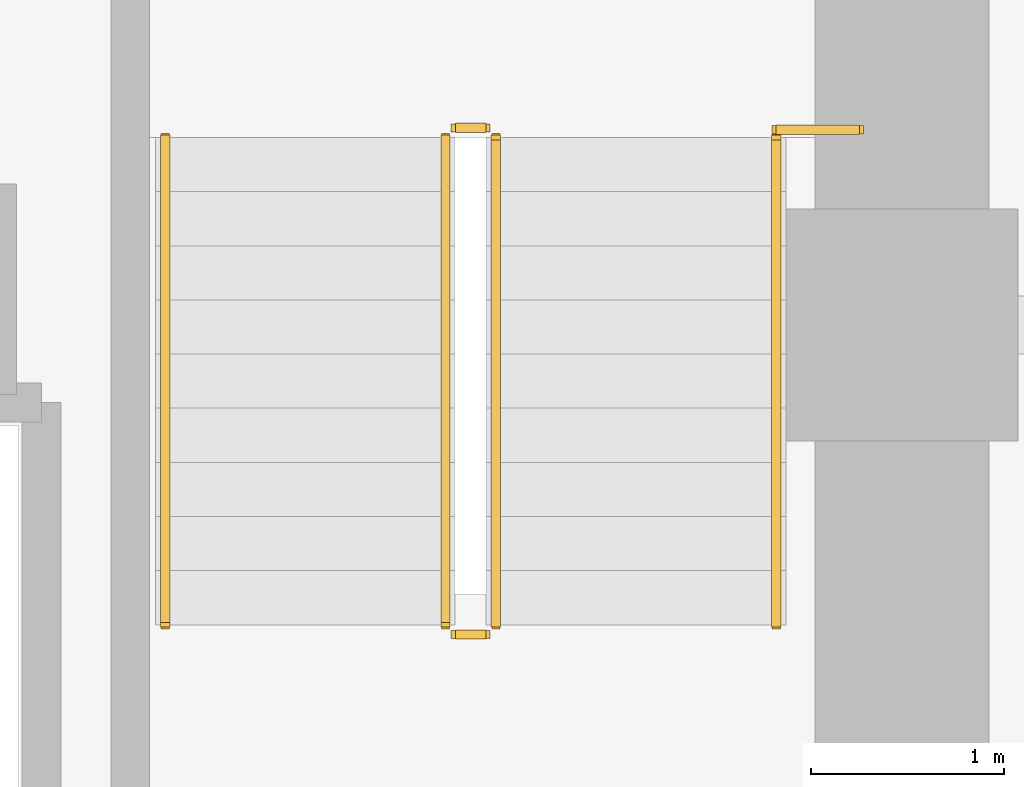
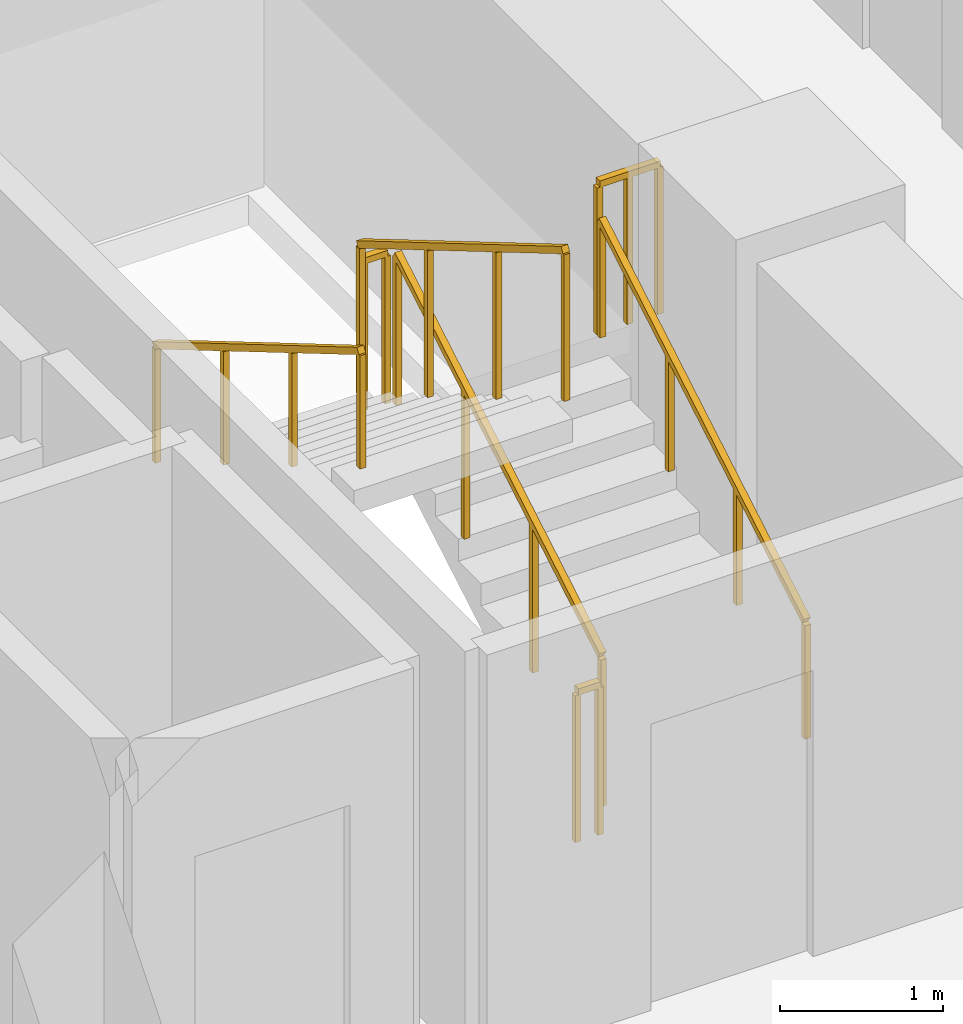
# One storey, part 30 of 31: 7 railings.
"""IFC4 building model written with IfcOpenShell, lengths in metres."""

import ifcopenshell
import ifcopenshell.guid

model = None  # the IFC model being written
_history = None  # IfcOwnerHistory: only IFC2X3 demands one
_inside = {}  # id of a spatial element -> (the spatial element, [elements in it])
_under = {}  # id of a project, library or spatial element -> (it, [spatial elements below it])
_declared = {}  # id of a project -> (the project, [libraries it declares])
_typed = {}  # id of a type object -> (the type object, [elements of that type])
_made_of = {}  # id of a material, layer set ... -> (it, [elements and type objects made of it])


def new_model(schema):
    """Start an empty IFC model of exactly this schema.

    Asked for "IFC4X3", IfcOpenShell would pick the latest addendum, in which some entities
    have other attributes; the version numbers below select the first issue.
    IFC2X3 requires an IfcOwnerHistory on every rooted entity: one is made here for all.
    """
    global model, _history
    if schema == "IFC4X3":
        model = ifcopenshell.file(schema_version=(4, 3, 0, 0))
    else:
        model = ifcopenshell.file(schema=schema)
    _inside.clear()
    _under.clear()
    _declared.clear()
    _typed.clear()
    _made_of.clear()
    _history = None
    if model.schema == "IFC2X3":
        org = make("IfcOrganization", Name="unknown")
        user = make(
            "IfcPersonAndOrganization",
            ThePerson=make("IfcPerson", FamilyName="unknown"),
            TheOrganization=org,
        )
        app = make(
            "IfcApplication",
            ApplicationDeveloper=org,
            Version="unknown",
            ApplicationFullName="unknown",
            ApplicationIdentifier="unknown",
        )
        _history = make(
            "IfcOwnerHistory",
            OwningUser=user,
            OwningApplication=app,
            ChangeAction="ADDED",
            CreationDate=0,
        )
    return model


def make(cls, **values):
    """One entity of the class cls with the attributes given. An attribute that is None is left unset."""
    return model.create_entity(
        cls, **{name: value for name, value in values.items() if value is not None}
    )


def rooted(cls, **values):
    """An entity with a GlobalId (a new one), such as an element, a storey or a relation."""
    return make(cls, GlobalId=ifcopenshell.guid.new(), OwnerHistory=_history, **values)


def si_unit(unit_type, name, prefix=None):
    """IfcSIUnit, for example si_unit("LENGTHUNIT", "METRE", prefix="MILLI")."""
    return make("IfcSIUnit", UnitType=unit_type, Prefix=prefix, Name=name)


def assignment(units):
    """IfcUnitAssignment: the units of a project."""
    return None if units is None else make("IfcUnitAssignment", Units=units)


def point(xyz):
    """IfcCartesianPoint."""
    return None if xyz is None else make("IfcCartesianPoint", Coordinates=xyz)


def direction(xyz):
    """IfcDirection."""
    return None if xyz is None else make("IfcDirection", DirectionRatios=xyz)


def frame(location, z_axis=None, x_axis=None):
    """IfcAxis2Placement3D, a coordinate frame: its origin and axes. An axis left out is left unset."""
    return make(
        "IfcAxis2Placement3D",
        Location=point(location),
        Axis=direction(z_axis),
        RefDirection=direction(x_axis),
    )


def frame_2d(location, x_axis=None):
    """IfcAxis2Placement2D, a coordinate frame in the plane: its origin and x axis."""
    return make(
        "IfcAxis2Placement2D", Location=point(location), RefDirection=direction(x_axis)
    )


def origin():
    """The frame at (0, 0, 0) with its axes left unset."""
    return frame((0.0, 0.0, 0.0))


def origin_2d():
    """The frame at (0, 0) in the plane with its x axis left unset."""
    return frame_2d((0.0, 0.0))


def place(relative_to, where):
    """IfcLocalPlacement: puts the frame where relative to a parent placement (None: the world)."""
    return make(
        "IfcLocalPlacement", PlacementRelTo=relative_to, RelativePlacement=where
    )


def context(
    kind, dimensions, precision=None, world=None, true_north=None, identifier=None
):
    """IfcGeometricRepresentationContext, for example the 3D "Model" context."""
    return make(
        "IfcGeometricRepresentationContext",
        ContextIdentifier=identifier,
        ContextType=kind,
        CoordinateSpaceDimension=dimensions,
        Precision=precision,
        WorldCoordinateSystem=world,
        TrueNorth=true_north,
    )


def subcontext(parent, identifier, kind, view, scale=None):
    """IfcGeometricRepresentationSubContext, for example "Body" below "Model"."""
    return make(
        "IfcGeometricRepresentationSubContext",
        ContextIdentifier=identifier,
        ContextType=kind,
        ParentContext=parent,
        TargetScale=scale,
        TargetView=view,
    )


def project(units=None, contexts=None):
    """IfcProject with its units and contexts."""
    return rooted(
        "IfcProject",
        Name="project",
        RepresentationContexts=contexts,
        UnitsInContext=assignment(units),
    )


def spatial(cls, under=None, at=None, **own):
    """A site, building, storey or space (cls), placed at a placement, below another one or the project."""
    s = rooted(cls, ObjectPlacement=at, **own)
    if under is not None:
        _under.setdefault(under.id(), (under, []))[1].append(s)
    return s


def profile(cls, at=None, kind="AREA", **sizes):
    """A parametric profile (cls). Its sizes go by their IFC names, for example OverallWidth=200.0."""
    return make(cls, ProfileType=kind, Position=at, **sizes)


def rectangle(**sizes):
    """IfcRectangleProfileDef."""
    return profile("IfcRectangleProfileDef", **sizes)


def extrude(swept, where, along, depth):
    """IfcExtrudedAreaSolid: the profile swept, set in the frame where, extruded along a direction by depth."""
    return make(
        "IfcExtrudedAreaSolid",
        SweptArea=swept,
        Position=where,
        ExtrudedDirection=direction(along),
        Depth=depth,
    )


def shape(context_of_items, identifier, shape_type, items):
    """IfcShapeRepresentation: the items that make up one representation, for example the "Body"."""
    return make(
        "IfcShapeRepresentation",
        ContextOfItems=context_of_items,
        RepresentationIdentifier=identifier,
        RepresentationType=shape_type,
        Items=items,
    )


def material(Name=None, Category=None):
    """IfcMaterial."""
    return make("IfcMaterial", Name=Name, Category=Category)


def made_of(thing, what):
    """Note that an element or type object is made of a material, layer set ...; save() writes the relation."""
    if what is not None:
        _made_of.setdefault(what.id(), (what, []))[1].append(thing)
    return thing


def type_object(cls, material=None, **own):
    """A type object (cls), such as IfcWallType, which elements share."""
    return made_of(rooted(cls, **own), material)


def element(
    cls,
    number,
    at=None,
    inside=None,
    cuts=None,
    type_object=None,
    material=None,
    context=None,
    identifier="Body",
    shape_type=None,
    held_by="IfcProductDefinitionShape",
    body=None,
    shapes=None,
    **own,
):
    """One element of the class cls, such as IfcWall. Its Tag is "e" and its number.

    at: its placement. inside: the storey or other place that contains it. cuts: it is an
    opening in that element (IfcRelVoidsElement). A single representation is given by context,
    identifier, shape_type and body (its items); several are given by shapes. held_by: the class
    of the entity that holds the representations. save() writes the other relations.
    """
    e = rooted(cls, Tag="e%d" % number, ObjectPlacement=at, **own)
    if body is not None:
        shapes = [shape(context, identifier, shape_type, body)]
    if shapes is not None:
        e.Representation = make(held_by, Representations=shapes)
    if inside is not None:
        _inside.setdefault(inside.id(), (inside, []))[1].append(e)
    if cuts is not None:
        rooted(
            "IfcRelVoidsElement", RelatingBuildingElement=cuts, RelatedOpeningElement=e
        )
    if type_object is not None:
        _typed.setdefault(type_object.id(), (type_object, []))[1].append(e)
    return made_of(e, material)


def aggregate(whole, parts):
    """IfcRelAggregates: a whole, such as a stair, and the parts it consists of."""
    return rooted("IfcRelAggregates", RelatingObject=whole, RelatedObjects=parts)


def save(model, path):
    """Write the relations noted so far, then the file.

    IfcRelAggregates (storeys below a building ...), IfcRelContainedInSpatialStructure (elements
    in a storey), IfcRelDefinesByType, IfcRelAssociatesMaterial and IfcRelDeclares: one each for
    every whole, place, type object, material and project.
    """
    for whole, parts in _under.values():
        aggregate(whole, parts)
    for where, things in _inside.values():
        rooted(
            "IfcRelContainedInSpatialStructure",
            RelatedElements=things,
            RelatingStructure=where,
        )
    for kind, things in _typed.values():
        rooted("IfcRelDefinesByType", RelatedObjects=things, RelatingType=kind)
    for what, things in _made_of.values():
        rooted("IfcRelAssociatesMaterial", RelatedObjects=things, RelatingMaterial=what)
    for by, libraries in _declared.values():
        rooted("IfcRelDeclares", RelatingContext=by, RelatedDefinitions=libraries)
    model.write(path)


model = new_model("IFC4")

# Units and contexts
model_context = context("Model", 3, precision=1e-05, world=origin(), true_north=direction((0.0, 1.0)))
body_context = subcontext(model_context, "Body", "Model", "MODEL_VIEW")
ifc_project = project(units=[si_unit("LENGTHUNIT", "METRE"), si_unit("AREAUNIT", "SQUARE_METRE"), si_unit("VOLUMEUNIT", "CUBIC_METRE"), si_unit("PLANEANGLEUNIT", "RADIAN"), si_unit("MASSUNIT", "GRAM", prefix="KILO")], contexts=[model_context])

# Site, building, storey
site_placement = place(None, origin())
site = spatial("IfcSite", under=ifc_project, at=site_placement, CompositionType="ELEMENT")
building_placement = place(site_placement, origin())
building = spatial("IfcBuilding", under=site, at=building_placement, Name="Zarnakvel Exchange Tower", CompositionType="ELEMENT")
storey_placement = place(building_placement, frame((0.0, 0.0, 47.199951171875)))
storey = spatial("IfcBuildingStorey", under=building, at=storey_placement, Name="L12", CompositionType="ELEMENT", Elevation=47.199951171875)

# Railings
ifc_material_1 = material(Name="Brushed Stainless Steel", Category="steel")
railing_type_1 = type_object("IfcRailingType", Name="HR-01", PredefinedType="HANDRAIL", material=ifc_material_1)
railing_1_placement = place(storey_placement, frame((13.75, 5.050048828125, 0.1650390625)))
element("IfcRailing", 1, at=railing_1_placement, inside=storey, type_object=railing_type_1, Name="L12 ST-02 stair handrail 1", PredefinedType="HANDRAIL", context=body_context, shape_type="SweptSolid", body=[
    extrude(rectangle(XDim=0.048095703125, YDim=0.048095703125, at=origin_2d()), frame((0.0, 0.0, 0.8759765625), z_axis=(0.0, 0.86152411907, 0.507716645641), x_axis=(-1.0, 0.0, 0.0)), (0.0, 0.0, 1.0), 2.925048828125),
    extrude(rectangle(XDim=0.0419921875, YDim=0.0419921875, at=origin_2d()), origin(), (0.0, 0.0, 1.0), 0.851806640625),
    extrude(rectangle(XDim=0.0419921875, YDim=0.0419921875, at=origin_2d()), frame((0.0, 0.840087890625, 0.4951171875)), (0.0, 0.0, 1.0), 0.851806640625),
    extrude(rectangle(XDim=0.0419921875, YDim=0.0419921875, at=origin_2d()), frame((0.0, 1.679931640625, 0.989990234375)), (0.0, 0.0, 1.0), 0.851806640625),
    extrude(rectangle(XDim=0.0419921875, YDim=0.0419921875, at=origin_2d()), frame((0.0, 2.52001953125, 1.485107421875)), (0.0, 0.0, 1.0), 0.851806640625),
])
railing_2_placement = place(storey_placement, frame((10.590087890625, 7.570068359375, 1.81494140625)))
element("IfcRailing", 2, at=railing_2_placement, inside=storey, type_object=railing_type_1, Name="L12 ST-02 stair handrail 2", PredefinedType="HANDRAIL", context=body_context, shape_type="SweptSolid", body=[
    extrude(rectangle(XDim=0.048095703125, YDim=0.048095703125, at=origin_2d()), frame((0.0, 0.0, 0.8759765625), z_axis=(0.0, -0.86152411907, 0.507716645641), x_axis=(1.0, 0.0, 0.0)), (0.0, 0.0, 1.0), 2.925048828125),
    extrude(rectangle(XDim=0.0419921875, YDim=0.0419921875, at=origin_2d()), origin(), (0.0, 0.0, 1.0), 0.851806640625),
    extrude(rectangle(XDim=0.0419921875, YDim=0.0419921875, at=origin_2d()), frame((0.0, -0.840087890625, 0.4951171875)), (0.0, 0.0, 1.0), 0.851806640625),
    extrude(rectangle(XDim=0.0419921875, YDim=0.0419921875, at=origin_2d()), frame((0.0, -1.679931640625, 0.989990234375)), (0.0, 0.0, 1.0), 0.851806640625),
    extrude(rectangle(XDim=0.0419921875, YDim=0.0419921875, at=origin_2d()), frame((0.0, -2.52001953125, 1.485107421875)), (0.0, 0.0, 1.0), 0.851806640625),
])
ifc_material_2 = material(Name="Architectural Bronze Anodised Aluminium", Category="aluminium")
railing_type_2 = type_object("IfcRailingType", Name="SG-01", PredefinedType="GUARDRAIL", material=ifc_material_2)
railing_3_placement = place(storey_placement, frame((12.300048828125, 5.050048828125, 0.1650390625)))
element("IfcRailing", 3, at=railing_3_placement, inside=storey, type_object=railing_type_2, Name="L12 ST-02 stair guard 1", PredefinedType="GUARDRAIL", context=body_context, shape_type="SweptSolid", body=[
    extrude(rectangle(XDim=0.048095703125, YDim=0.048095703125, at=origin_2d()), frame((0.0, 0.0, 1.1259765625), z_axis=(0.0, 0.86152411907, 0.507716645641), x_axis=(-1.0, 0.0, 0.0)), (0.0, 0.0, 1.0), 2.925048828125),
    extrude(rectangle(XDim=0.0419921875, YDim=0.0419921875, at=origin_2d()), origin(), (0.0, 0.0, 1.0), 1.101806640625),
    extrude(rectangle(XDim=0.0419921875, YDim=0.0419921875, at=origin_2d()), frame((0.0, 0.840087890625, 0.4951171875)), (0.0, 0.0, 1.0), 1.101806640625),
    extrude(rectangle(XDim=0.0419921875, YDim=0.0419921875, at=origin_2d()), frame((0.0, 1.679931640625, 0.989990234375)), (0.0, 0.0, 1.0), 1.101806640625),
    extrude(rectangle(XDim=0.0419921875, YDim=0.0419921875, at=origin_2d()), frame((0.0, 2.52001953125, 1.485107421875)), (0.0, 0.0, 1.0), 1.101806640625),
])
railing_4_placement = place(storey_placement, frame((12.25, 7.6201171875, 1.650146484375)))
element("IfcRailing", 4, at=railing_4_placement, inside=storey, type_object=railing_type_2, Name="L12 ST-02 stair guard 2", PredefinedType="GUARDRAIL", context=body_context, shape_type="SweptSolid", body=[
    extrude(rectangle(XDim=0.048095703125, YDim=0.048095703125, at=origin_2d()), frame((0.0, 0.0, 1.1259765625), z_axis=(-1.0, 0.0, 0.0), x_axis=(0.0, -1.0, 0.0)), (0.0, 0.0, 1.0), 0.159912109375),
    extrude(rectangle(XDim=0.0419921875, YDim=0.0419921875, at=origin_2d()), origin(), (0.0, 0.0, 1.0), 1.101806640625),
    extrude(rectangle(XDim=0.0419921875, YDim=0.0419921875, at=origin_2d()), frame((-0.159912109375, 0.0, 0.0)), (0.0, 0.0, 1.0), 1.101806640625),
])
railing_5_placement = place(storey_placement, frame((12.0400390625, 7.570068359375, 1.81494140625)))
element("IfcRailing", 5, at=railing_5_placement, inside=storey, type_object=railing_type_2, Name="L12 ST-02 stair guard 3", PredefinedType="GUARDRAIL", context=body_context, shape_type="SweptSolid", body=[
    extrude(rectangle(XDim=0.048095703125, YDim=0.048095703125, at=origin_2d()), frame((0.0, 0.0, 1.1259765625), z_axis=(0.0, -0.86152411907, 0.507716645641), x_axis=(1.0, 0.0, 0.0)), (0.0, 0.0, 1.0), 2.925048828125),
    extrude(rectangle(XDim=0.0419921875, YDim=0.0419921875, at=origin_2d()), origin(), (0.0, 0.0, 1.0), 1.101806640625),
    extrude(rectangle(XDim=0.0419921875, YDim=0.0419921875, at=origin_2d()), frame((0.0, -0.840087890625, 0.4951171875)), (0.0, 0.0, 1.0), 1.101806640625),
    extrude(rectangle(XDim=0.0419921875, YDim=0.0419921875, at=origin_2d()), frame((0.0, -1.679931640625, 0.989990234375)), (0.0, 0.0, 1.0), 1.101806640625),
    extrude(rectangle(XDim=0.0419921875, YDim=0.0419921875, at=origin_2d()), frame((0.0, -2.52001953125, 1.485107421875)), (0.0, 0.0, 1.0), 1.101806640625),
])
railing_6_placement = place(storey_placement, frame((12.25, 5.0, 0.0)))
element("IfcRailing", 6, at=railing_6_placement, inside=storey, type_object=railing_type_2, Name="L12 ST-02 stair guard 4", PredefinedType="GUARDRAIL", context=body_context, shape_type="SweptSolid", body=[
    extrude(rectangle(XDim=0.048095703125, YDim=0.048095703125, at=origin_2d()), frame((0.0, 0.0, 1.1259765625), z_axis=(-1.0, 0.0, 0.0), x_axis=(0.0, -1.0, 0.0)), (0.0, 0.0, 1.0), 0.159912109375),
    extrude(rectangle(XDim=0.0419921875, YDim=0.0419921875, at=origin_2d()), origin(), (0.0, 0.0, 1.0), 1.101806640625),
    extrude(rectangle(XDim=0.0419921875, YDim=0.0419921875, at=origin_2d()), frame((-0.159912109375, 0.0, 0.0)), (0.0, 0.0, 1.0), 1.101806640625),
])
railing_7_placement = place(storey_placement, frame((13.75, 7.610107421875, 1.650146484375)))
element("IfcRailing", 7, at=railing_7_placement, inside=storey, type_object=railing_type_2, Name="L12 ST-02 Landing Slot Guardrail", PredefinedType="GUARDRAIL", context=body_context, shape_type="SweptSolid", body=[
    extrude(rectangle(XDim=0.048095703125, YDim=0.048095703125, at=origin_2d()), frame((0.0, 0.0, 1.1259765625), z_axis=(1.0, 0.0, 0.0), x_axis=(0.0, 1.0, 0.0)), (0.0, 0.0, 1.0), 0.429931640625),
    extrude(rectangle(XDim=0.0419921875, YDim=0.0419921875, at=origin_2d()), origin(), (0.0, 0.0, 1.0), 1.101806640625),
    extrude(rectangle(XDim=0.0419921875, YDim=0.0419921875, at=origin_2d()), frame((0.21484375, 0.0, 0.0)), (0.0, 0.0, 1.0), 1.101806640625),
    extrude(rectangle(XDim=0.0419921875, YDim=0.0419921875, at=origin_2d()), frame((0.429931640625, 0.0, 0.0)), (0.0, 0.0, 1.0), 1.101806640625),
])

save(model, "model.ifc")
